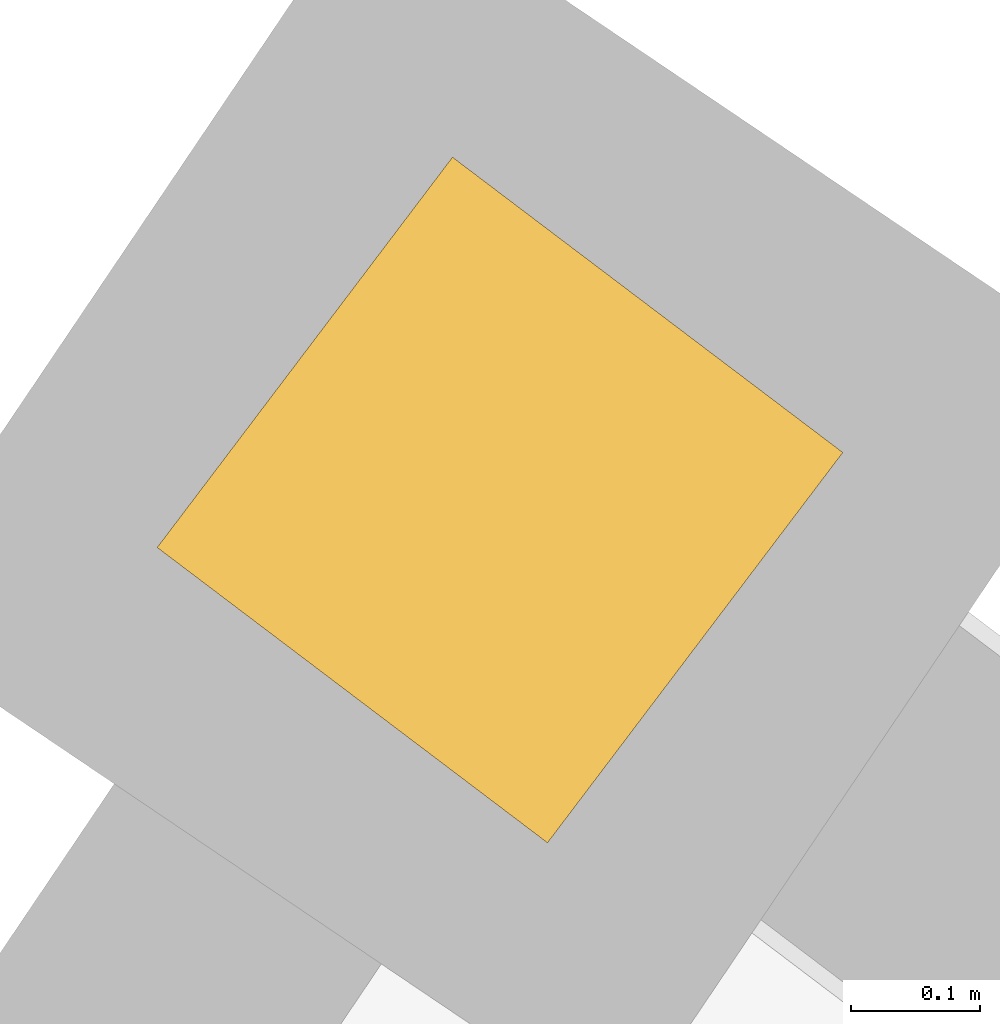
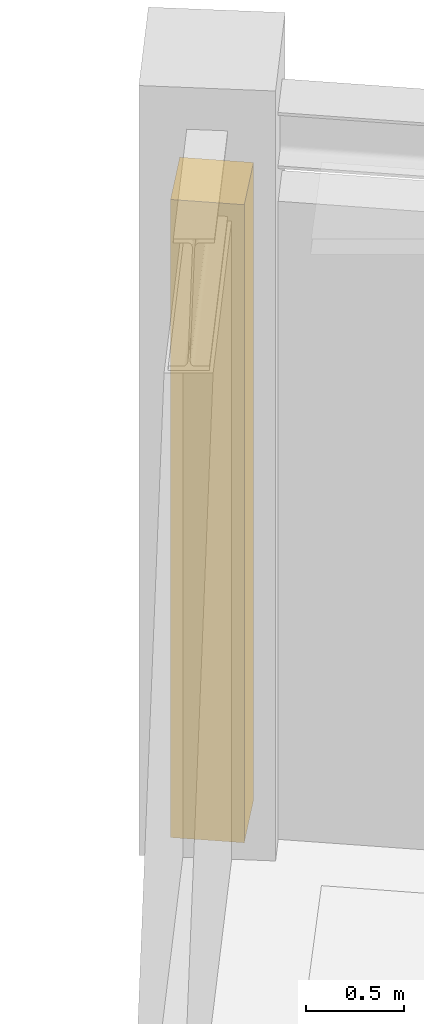
# One storey, part 100 of 100: 1 covering.
"""IFC4 building model written with IfcOpenShell, lengths in metres."""

from ifc_helpers import new_model, si_unit, direction, frame, origin, origin_2d, place, context, subcontext, project, spatial, rectangle, extrude, material, layer, layer_set, type_object, element, save


model = new_model("IFC4")

# Units and contexts
model_context = context("Model", 3, precision=1e-05, world=origin(), true_north=direction((0.0, 1.0)))
body_context = subcontext(model_context, "Body", "Model", "MODEL_VIEW")
ifc_project = project(units=[si_unit("LENGTHUNIT", "METRE"), si_unit("AREAUNIT", "SQUARE_METRE"), si_unit("VOLUMEUNIT", "CUBIC_METRE"), si_unit("PLANEANGLEUNIT", "RADIAN"), si_unit("MASSUNIT", "GRAM", prefix="KILO")], contexts=[model_context])

# Site, building, storey
site_placement = place(None, origin())
site = spatial("IfcSite", under=ifc_project, at=site_placement, CompositionType="ELEMENT")
building_placement = place(site_placement, origin())
building = spatial("IfcBuilding", under=site, at=building_placement, Name="Tarnveldt Headland Concert Hall", CompositionType="ELEMENT")
storey_placement = place(building_placement, frame((0.0, 0.0, 4.800048828125)))
storey = spatial("IfcBuildingStorey", under=building, at=storey_placement, Name="L01", CompositionType="ELEMENT", Elevation=4.800048828125)

# Covering
ifc_material = material(Name="Coral-toned precast concrete C40/50", Category="concrete")
ifc_layer = layer(ifc_material, 0.360107421875, Name="Coral-toned precast concrete C40/50", Category="concrete")
ifc_layer_set = layer_set([ifc_layer], Name="Coral-toned precast concrete C40/50")
covering_type = type_object("IfcCoveringType", Name="CV-JNT360", PredefinedType="CLADDING", material=ifc_layer_set)
covering_placement = place(storey_placement, frame((151.61083984375, 110.5712890625, 0.0), z_axis=(0.0, 0.0, 1.0), x_axis=(0.797478637023, -0.603347183213, 0.0)))
element("IfcCovering", 1, at=covering_placement, inside=storey, type_object=covering_type, Name="Precast facade joint closure pilaster L01-228", PredefinedType="CLADDING", context=body_context, shape_type="SweptSolid", body=[
    extrude(rectangle(XDim=0.3798828125, YDim=0.3798828125, at=origin_2d()), origin(), (0.0, 0.0, 1.0), 3.97802734375),
])

save(model, "model.ifc")
